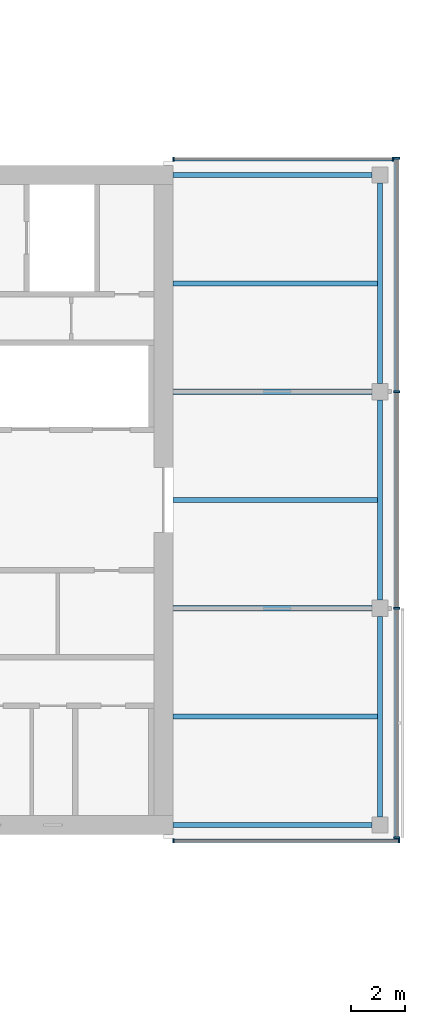
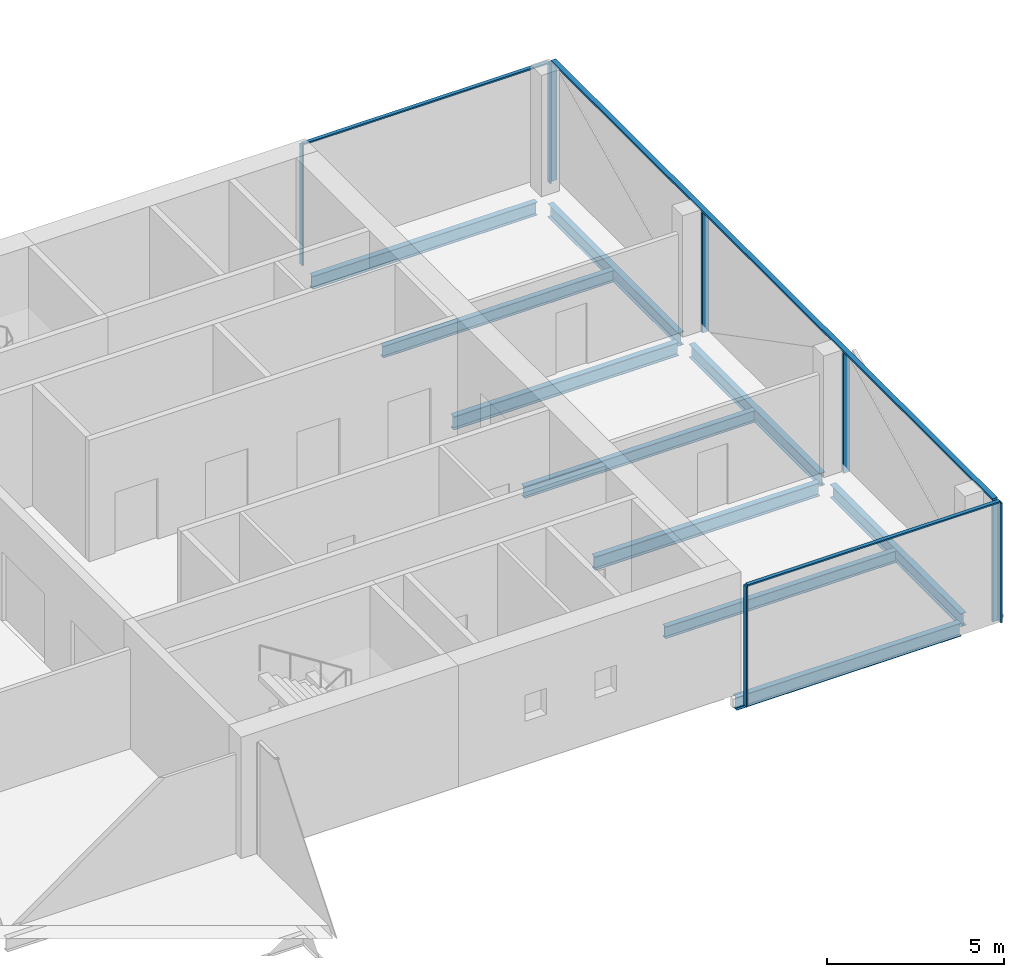
# One storey, part 11 of 22: 11 members, 10 beams, 3 elements without a shape of their own.
"""IFC4 building model written with IfcOpenShell, lengths in metres."""

from ifc_helpers import new_model, si_unit, direction, frame, origin, origin_2d, place, context, subcontext, project, spatial, rectangle, i_section, extrude, material, material_profile, profile_set, type_object, element, aggregate, save


model = new_model("IFC4")

# Units and contexts
model_context = context("Model", 3, precision=1e-05, world=origin(), true_north=direction((0.0, 1.0)))
body_context = subcontext(model_context, "Body", "Model", "MODEL_VIEW")
ifc_project = project(units=[si_unit("LENGTHUNIT", "METRE"), si_unit("AREAUNIT", "SQUARE_METRE"), si_unit("VOLUMEUNIT", "CUBIC_METRE"), si_unit("PLANEANGLEUNIT", "RADIAN"), si_unit("MASSUNIT", "GRAM", prefix="KILO")], contexts=[model_context])

# Site, building, storey
site_placement = place(None, origin())
site = spatial("IfcSite", under=ifc_project, at=site_placement, CompositionType="ELEMENT")
building_placement = place(site_placement, origin())
building = spatial("IfcBuilding", under=site, at=building_placement, Name="Crosswind Convention Tower", CompositionType="ELEMENT")
storey_placement = place(building_placement, frame((0.0, 0.0, 133.699951171875)))
storey = spatial("IfcBuildingStorey", under=building, at=storey_placement, Name="L27", CompositionType="ELEMENT", Elevation=133.699951171875)

# Beams
ifc_material_1 = material(Name="Steel S355", Category="steel")
ifc_material_profile_1 = material_profile(ifc_material_1, i_section(OverallWidth=0.18994140625, OverallDepth=0.45361328125, WebThickness=0.008544921875, FlangeThickness=0.0126953125, FilletRadius=0.01025390625, at=origin_2d()), Name="UB 457x191x67")
ifc_profile_set_1 = profile_set([ifc_material_profile_1], Name="Steel S355")
beam_type_1 = type_object("IfcBeamType", Name="Edge beam UB 457x191x67", PredefinedType="SPANDREL", material=ifc_profile_set_1)
for number, where, z_axis, x_axis, name in (
    (1, (153.35009765625, 88.0, -0.52685546875), (1.0, 0.0, 0.0), (0.0, 1.0, 0.0), "B16 L27 edge beam 20"),
    (2, (153.35009765625, 112.0, -0.52685546875), (1.0, 0.0, 0.0), (0.0, 1.0, 0.0), "B16 L27 edge beam 21"),
):
    element("IfcBeam", number, at=place(storey_placement, frame(where, z_axis=z_axis, x_axis=x_axis)), inside=storey, type_object=beam_type_1, Name=name, PredefinedType="SPANDREL", context=body_context, shape_type="SweptSolid", body=[
        extrude(i_section(OverallWidth=0.18994140625, OverallDepth=0.45361328125, WebThickness=0.008544921875, FlangeThickness=0.0126953125, FilletRadius=0.01025390625, at=origin_2d()), origin(), (0.0, 0.0, 1.0), 7.349853515625),
    ])
for number, where, z_axis, x_axis, name in (
    (3, (161.0, 88.300048828125, -0.52685546875), (0.0, 1.0, 0.0), (-1.0, 0.0, 0.0), "B16 L27 edge beam 22"),
    (4, (161.0, 96.300048828125, -0.52685546875), (0.0, 1.0, 0.0), (-1.0, 0.0, 0.0), "B16 L27 edge beam 23"),
    (5, (161.0, 104.300048828125, -0.52685546875), (0.0, 1.0, 0.0), (-1.0, 0.0, 0.0), "B16 L27 edge beam 24"),
):
    element("IfcBeam", number, at=place(storey_placement, frame(where, z_axis=z_axis, x_axis=x_axis)), inside=storey, type_object=beam_type_1, Name=name, PredefinedType="SPANDREL", context=body_context, shape_type="SweptSolid", body=[
        extrude(i_section(OverallWidth=0.18994140625, OverallDepth=0.45361328125, WebThickness=0.008544921875, FlangeThickness=0.0126953125, FilletRadius=0.01025390625, at=origin_2d()), origin(), (0.0, 0.0, 1.0), 7.39990234375),
    ])
ifc_material_profile_2 = material_profile(ifc_material_1, i_section(OverallWidth=0.19189453125, OverallDepth=0.463623046875, WebThickness=0.010498046875, FlangeThickness=0.017578125, FilletRadius=0.01025390625, at=origin_2d()), Name="UB 457x191x90")
ifc_profile_set_2 = profile_set([ifc_material_profile_2], Name="Steel S355")
beam_type_2 = type_object("IfcBeamType", Name="Girder at core wall UB 457x191x90", PredefinedType="BEAM", material=ifc_profile_set_2)
for number, where, z_axis, x_axis, name in (
    (6, (153.35009765625, 96.0, -0.53173828125), (1.0, 0.0, 0.0), (0.0, 1.0, 0.0), "B24 L27 girder at core wall 11"),
    (7, (153.35009765625, 104.0, -0.53173828125), (1.0, 0.0, 0.0), (0.0, 1.0, 0.0), "B24 L27 girder at core wall 12"),
):
    element("IfcBeam", number, at=place(storey_placement, frame(where, z_axis=z_axis, x_axis=x_axis)), inside=storey, type_object=beam_type_2, Name=name, PredefinedType="BEAM", context=body_context, shape_type="SweptSolid", body=[
        extrude(i_section(OverallWidth=0.19189453125, OverallDepth=0.463623046875, WebThickness=0.010498046875, FlangeThickness=0.017578125, FilletRadius=0.01025390625, at=origin_2d()), origin(), (0.0, 0.0, 1.0), 7.349853515625),
    ])

# Curtain wall, members
ifc_material_2 = material(Name="Aluminium unitised curtain wall", Category="aluminium")
curtain_wall_type_1 = type_object("IfcCurtainWallType", Name="CORE END SLOT WALL 160", PredefinedType="USERDEFINED", material=ifc_material_2)
curtain_wall_1_placement = place(storey_placement, origin())
curtain_wall_1 = element("IfcCurtainWall", 8, at=curtain_wall_1_placement, inside=storey, type_object=curtain_wall_type_1, Name="CW6 L27 E-N.1-1 slot", ObjectType="UNITISED", PredefinedType="USERDEFINED")
ifc_material_3 = material(Name="Aluminium mullion", Category="aluminium")
ifc_material_profile_3 = material_profile(ifc_material_3, rectangle(XDim=0.159912109375, YDim=0.050048828125, at=origin_2d()), Name="AL 160X50")
ifc_profile_set_3 = profile_set([ifc_material_profile_3], Name="Aluminium mullion")
member_type_1 = type_object("IfcMemberType", Name="MULLION 50X160", PredefinedType="MULLION", material=ifc_profile_set_3)
member_1_placement = place(storey_placement, frame((161.47509765625, 112.580078125, -0.300048828125), z_axis=(0.0, 0.0, 1.0), x_axis=(0.0, 1.0, 0.0)))
member_1 = element("IfcMember", 9, at=member_1_placement, type_object=member_type_1, Name="CW6 mullion 1", PredefinedType="MULLION", context=body_context, shape_type="SweptSolid", body=[
    extrude(rectangle(XDim=0.159912109375, YDim=0.050048828125, at=origin_2d()), origin(), (0.0, 0.0, 1.0), 4.150146484375),
])
member_2_placement = place(storey_placement, frame((153.375, 112.580078125, -0.300048828125), z_axis=(0.0, 0.0, 1.0), x_axis=(0.0, 1.0, 0.0)))
member_2 = element("IfcMember", 10, at=member_2_placement, type_object=member_type_1, Name="CW6 mullion 2", PredefinedType="MULLION", context=body_context, shape_type="SweptSolid", body=[
    extrude(rectangle(XDim=0.159912109375, YDim=0.050048828125, at=origin_2d()), origin(), (0.0, 0.0, 1.0), 4.150146484375),
])

curtain_wall_2_placement = place(storey_placement, origin())
curtain_wall_2 = element("IfcCurtainWall", 11, at=curtain_wall_2_placement, inside=storey, type_object=curtain_wall_type_1, Name="CW6 L27 E-S.2-1 slot", ObjectType="UNITISED", PredefinedType="USERDEFINED")
member_3_placement = place(storey_placement, frame((153.375, 87.419921875, -0.300048828125), z_axis=(0.0, 0.0, 1.0), x_axis=(0.0, -1.0, 0.0)))
member_3 = element("IfcMember", 12, at=member_3_placement, type_object=member_type_1, Name="CW6 mullion 1", PredefinedType="MULLION", context=body_context, shape_type="SweptSolid", body=[
    extrude(rectangle(XDim=0.159912109375, YDim=0.050048828125, at=origin_2d()), origin(), (0.0, 0.0, 1.0), 4.150146484375),
])
member_4_placement = place(storey_placement, frame((161.695068359375, 87.419921875, -0.300048828125), z_axis=(0.0, 0.0, 1.0), x_axis=(0.0, -1.0, 0.0)))
member_4 = element("IfcMember", 13, at=member_4_placement, type_object=member_type_1, Name="CW6 mullion 2", PredefinedType="MULLION", context=body_context, shape_type="SweptSolid", body=[
    extrude(rectangle(XDim=0.159912109375, YDim=0.050048828125, at=origin_2d()), origin(), (0.0, 0.0, 1.0), 4.150146484375),
])

curtain_wall_type_2 = type_object("IfcCurtainWallType", Name="OFFICE UNITISED WALL 220", PredefinedType="USERDEFINED", material=ifc_material_2)
curtain_wall_3_placement = place(storey_placement, origin())
curtain_wall_3 = element("IfcCurtainWall", 14, at=curtain_wall_3_placement, inside=storey, type_object=curtain_wall_type_2, Name="CW3 L27 E-TIP 1", ObjectType="UNITISED", PredefinedType="USERDEFINED")
ifc_material_profile_4 = material_profile(ifc_material_3, rectangle(XDim=0.219970703125, YDim=0.070068359375, at=origin_2d()), Name="AL 220X70")
ifc_profile_set_4 = profile_set([ifc_material_profile_4], Name="Aluminium mullion")
member_type_2 = type_object("IfcMemberType", Name="MULLION 70X220", PredefinedType="MULLION", material=ifc_profile_set_4)
member_5_placement = place(storey_placement, frame((161.610107421875, 87.534912109375, -0.300048828125), z_axis=(0.0, 0.0, 1.0), x_axis=(1.0, 0.0, 0.0)))
member_5 = element("IfcMember", 15, at=member_5_placement, type_object=member_type_2, Name="CW3 mullion 1", PredefinedType="MULLION", context=body_context, shape_type="SweptSolid", body=[
    extrude(rectangle(XDim=0.219970703125, YDim=0.070068359375, at=origin_2d()), origin(), (0.0, 0.0, 1.0), 4.130126953125),
])
member_6_placement = place(storey_placement, frame((161.610107421875, 96.0, -0.300048828125), z_axis=(0.0, 0.0, 1.0), x_axis=(1.0, 0.0, 0.0)))
member_6 = element("IfcMember", 16, at=member_6_placement, type_object=member_type_2, Name="CW3 mullion 2", PredefinedType="MULLION", context=body_context, shape_type="SweptSolid", body=[
    extrude(rectangle(XDim=0.219970703125, YDim=0.070068359375, at=origin_2d()), origin(), (0.0, 0.0, 1.0), 4.130126953125),
])
member_7_placement = place(storey_placement, frame((161.610107421875, 104.0, -0.300048828125), z_axis=(0.0, 0.0, 1.0), x_axis=(1.0, 0.0, 0.0)))
member_7 = element("IfcMember", 17, at=member_7_placement, type_object=member_type_2, Name="CW3 mullion 3", PredefinedType="MULLION", context=body_context, shape_type="SweptSolid", body=[
    extrude(rectangle(XDim=0.219970703125, YDim=0.070068359375, at=origin_2d()), origin(), (0.0, 0.0, 1.0), 4.130126953125),
])
member_8_placement = place(storey_placement, frame((161.610107421875, 112.625, -0.300048828125), z_axis=(0.0, 0.0, 1.0), x_axis=(1.0, 0.0, 0.0)))
member_8 = element("IfcMember", 18, at=member_8_placement, type_object=member_type_2, Name="CW3 mullion 4", PredefinedType="MULLION", context=body_context, shape_type="SweptSolid", body=[
    extrude(rectangle(XDim=0.219970703125, YDim=0.070068359375, at=origin_2d()), origin(), (0.0, 0.0, 1.0), 4.130126953125),
])

# Beams
ifc_material_profile_5 = material_profile(ifc_material_1, i_section(OverallWidth=0.177734375, OverallDepth=0.406494140625, WebThickness=0.0078125, FlangeThickness=0.0126953125, FilletRadius=0.01025390625, at=origin_2d()), Name="UB 406x178x60")
ifc_profile_set_5 = profile_set([ifc_material_profile_5], Name="Steel S355")
beam_type_3 = type_object("IfcBeamType", Name="Secondary beam UB 406x178x60", PredefinedType="JOIST", material=ifc_profile_set_5)
for number, where, z_axis, x_axis, name in (
    (19, (153.35009765625, 92.0, -0.503173828125), (1.0, 0.0, 0.0), (0.0, 1.0, 0.0), "B10 L27 secondary beam 25"),
    (20, (153.35009765625, 100.0, -0.503173828125), (1.0, 0.0, 0.0), (0.0, 1.0, 0.0), "B10 L27 secondary beam 26"),
    (21, (153.35009765625, 108.0, -0.503173828125), (1.0, 0.0, 0.0), (0.0, 1.0, 0.0), "B10 L27 secondary beam 27"),
):
    element("IfcBeam", number, at=place(storey_placement, frame(where, z_axis=z_axis, x_axis=x_axis)), inside=storey, type_object=beam_type_3, Name=name, PredefinedType="JOIST", context=body_context, shape_type="SweptSolid", body=[
        extrude(i_section(OverallWidth=0.177734375, OverallDepth=0.406494140625, WebThickness=0.0078125, FlangeThickness=0.0126953125, FilletRadius=0.01025390625, at=origin_2d()), origin(), (0.0, 0.0, 1.0), 7.554931640625),
    ])

# Member
ifc_material_4 = material(Name="Aluminium transom", Category="aluminium")
ifc_material_profile_6 = material_profile(ifc_material_4, rectangle(XDim=0.1201171875, YDim=0.050048828125, at=origin_2d()), Name="AL 120X50")
ifc_profile_set_6 = profile_set([ifc_material_profile_6], Name="Aluminium transom")
member_type_3 = type_object("IfcMemberType", Name="TRANSOM 50X120", PredefinedType="USERDEFINED", material=ifc_profile_set_6)
member_9_placement = place(storey_placement, frame((161.449951171875, 112.580078125, 3.875), z_axis=(-1.0, 0.0, 0.0), x_axis=(0.0, -1.0, 0.0)))
member_9 = element("IfcMember", 22, at=member_9_placement, type_object=member_type_3, Name="CW6 transom", ObjectType="TRANSOM", PredefinedType="USERDEFINED", context=body_context, shape_type="SweptSolid", body=[
    extrude(rectangle(XDim=0.1201171875, YDim=0.050048828125, at=origin_2d()), origin(), (0.0, 0.0, 1.0), 8.050048828125),
])

aggregate(curtain_wall_1, [member_1, member_2, member_9])

member_10_placement = place(storey_placement, frame((153.39990234375, 87.419921875, 3.875), z_axis=(1.0, 0.0, 0.0), x_axis=(0.0, 1.0, 0.0)))
member_10 = element("IfcMember", 23, at=member_10_placement, type_object=member_type_3, Name="CW6 transom", ObjectType="TRANSOM", PredefinedType="USERDEFINED", context=body_context, shape_type="SweptSolid", body=[
    extrude(rectangle(XDim=0.1201171875, YDim=0.050048828125, at=origin_2d()), origin(), (0.0, 0.0, 1.0), 8.27001953125),
])

aggregate(curtain_wall_2, [member_3, member_4, member_10])

ifc_material_profile_7 = material_profile(ifc_material_4, rectangle(XDim=0.159912109375, YDim=0.070068359375, at=origin_2d()), Name="AL 160X70")
ifc_profile_set_7 = profile_set([ifc_material_profile_7], Name="Aluminium transom")
member_type_4 = type_object("IfcMemberType", Name="TRANSOM 70X160", PredefinedType="USERDEFINED", material=ifc_profile_set_7)
member_11_placement = place(storey_placement, frame((161.610107421875, 87.570068359375, 3.864990234375), z_axis=(0.0, 1.0, 0.0), x_axis=(-1.0, 0.0, 0.0)))
member_11 = element("IfcMember", 24, at=member_11_placement, type_object=member_type_4, Name="CW3 transom", ObjectType="TRANSOM", PredefinedType="USERDEFINED", context=body_context, shape_type="SweptSolid", body=[
    extrude(rectangle(XDim=0.159912109375, YDim=0.070068359375, at=origin_2d()), origin(), (0.0, 0.0, 1.0), 25.02001953125),
])

aggregate(curtain_wall_3, [member_5, member_6, member_7, member_8, member_11])

save(model, "model.ifc")
